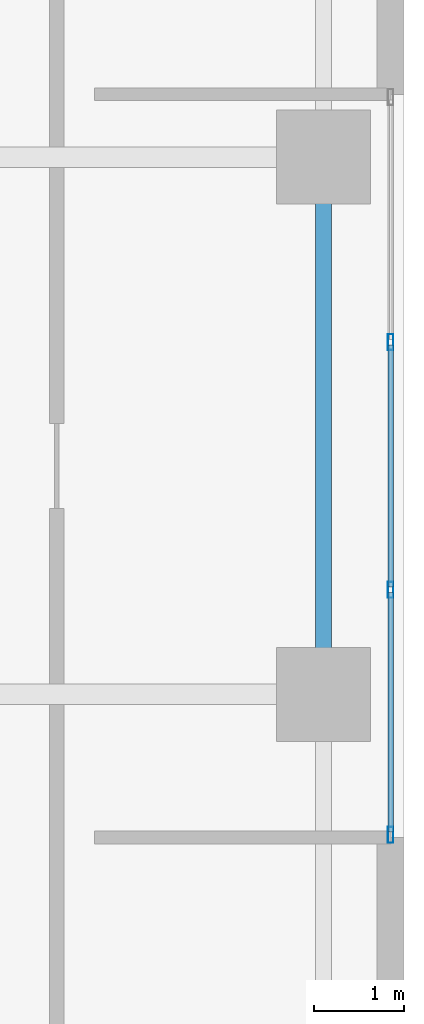
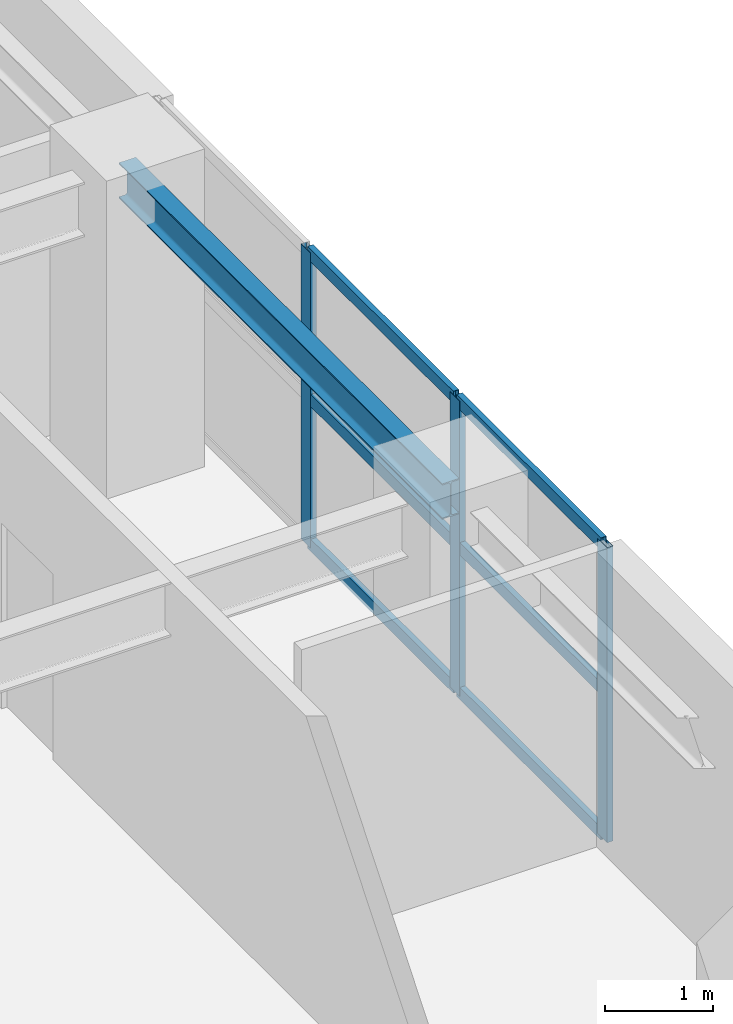
# One storey, part 4 of 14: 9 members, 1 beam, 1 element without a shape of its own.
"""IFC4 building model written with IfcOpenShell, lengths in metres."""

from ifc_helpers import new_model, si_unit, direction, frame, origin, origin_2d, place, context, subcontext, project, spatial, hollow_rectangle, i_section, extrude, source, transform, mapped, material, layer, layer_set, material_profile, profile_set, type_object, element, aggregate, save


model = new_model("IFC4")

# Units and contexts
model_context = context("Model", 3, precision=1e-05, world=origin(), true_north=direction((0.0, 1.0)))
body_context = subcontext(model_context, "Body", "Model", "MODEL_VIEW")
ifc_project = project(units=[si_unit("LENGTHUNIT", "METRE"), si_unit("AREAUNIT", "SQUARE_METRE"), si_unit("VOLUMEUNIT", "CUBIC_METRE"), si_unit("PLANEANGLEUNIT", "RADIAN"), si_unit("MASSUNIT", "GRAM", prefix="KILO")], contexts=[model_context])

# Site, building, storey
site_placement = place(None, origin())
site = spatial("IfcSite", under=ifc_project, at=site_placement, CompositionType="ELEMENT")
building_placement = place(site_placement, origin())
building = spatial("IfcBuilding", under=site, at=building_placement, Name="Khoralis Quay Care Tower", CompositionType="ELEMENT")
storey_placement = place(building_placement, frame((0.0, 0.0, 108.89990234375)))
storey = spatial("IfcBuildingStorey", under=building, at=storey_placement, Name="L28", CompositionType="ELEMENT", Elevation=108.89990234375)

# Beam
ifc_material_1 = material(Name="Steel S355", Category="steel")
ifc_material_profile_1 = material_profile(ifc_material_1, i_section(OverallWidth=0.179931640625, OverallDepth=0.39990234375, WebThickness=0.008544921875, FlangeThickness=0.013427734375, FilletRadius=0.02099609375, at=origin_2d()), Name="Steel S355")
ifc_profile_set_1 = profile_set([ifc_material_profile_1], Name="Steel S355")
beam_type = type_object("IfcBeamType", Name="BM-IPE400", PredefinedType="SPANDREL", material=ifc_profile_set_1)
shared_shape_1 = source(origin(), body_context, "Body", "SweptSolid", [
    extrude(i_section(OverallWidth=0.179931640625, OverallDepth=0.39990234375, WebThickness=0.008544921875, FlangeThickness=0.013427734375, FilletRadius=0.02099609375, at=origin_2d()), origin(), (0.0, 0.0, 1.0), 6.0),
])
beam_placement = place(storey_placement, frame((44.10009765625, 18.0, 3.14013671875), z_axis=(0.0, 1.0, 0.0), x_axis=(-1.0, 0.0, 0.0)))
element("IfcBeam", 1, at=beam_placement, inside=storey, type_object=beam_type, Name="BM-TSP-L28-18", PredefinedType="SPANDREL", context=body_context, shape_type="MappedRepresentation", body=[
    mapped(shared_shape_1, transform((0.0, 0.0, 0.0), scale=1.0)),
])

# Curtain wall, members
ifc_material_2 = material(Name="Pale anodised aluminium", Category="aluminium")
ifc_layer = layer(ifc_material_2, 0.169921875)
ifc_layer_set = layer_set([ifc_layer], Name="Pale anodised aluminium")
curtain_wall_type = type_object("IfcCurtainWallType", Name="CW-SYS-Z2", PredefinedType="NOTDEFINED", material=ifc_layer_set)
curtain_wall_placement = place(storey_placement, origin())
curtain_wall = element("IfcCurtainWall", 2, at=curtain_wall_placement, inside=storey, type_object=curtain_wall_type, Name="L28 Unitised Curtain Wall CW-L28-P1-E5", PredefinedType="NOTDEFINED")
ifc_material_profile_2 = material_profile(ifc_material_2, hollow_rectangle(XDim=0.06494140625, YDim=0.179931640625, WallThickness=0.00390625, at=origin_2d()), Name="Pale anodised aluminium")
ifc_profile_set_2 = profile_set([ifc_material_profile_2], Name="Pale anodised aluminium")
member_type_1 = type_object("IfcMemberType", Name="CW-MUL-180", PredefinedType="MULLION", material=ifc_profile_set_2)
shared_shape_2 = source(origin(), body_context, "Body", "SweptSolid", [
    extrude(hollow_rectangle(XDim=0.06494140625, YDim=0.179931640625, WallThickness=0.00390625, at=origin_2d()), origin(), (0.0, 0.0, 1.0), 3.340087890625),
])
member_1_placement = place(storey_placement, frame((44.85009765625, 16.429931640625, 0.0), z_axis=(0.0, 0.0, 1.0), x_axis=(-1.0, 0.0, 0.0)))
member_1 = element("IfcMember", 3, at=member_1_placement, type_object=member_type_1, Name="CW2 mullion 1", PredefinedType="MULLION", context=body_context, shape_type="MappedRepresentation", body=[
    mapped(shared_shape_2, transform((0.0, 0.0, 0.0), scale=1.0)),
])
member_2_placement = place(storey_placement, frame((44.85009765625, 19.166748046875, 0.0), z_axis=(0.0, 0.0, 1.0), x_axis=(-1.0, 0.0, 0.0)))
member_2 = element("IfcMember", 4, at=member_2_placement, type_object=member_type_1, Name="CW2 mullion 2", PredefinedType="MULLION", context=body_context, shape_type="MappedRepresentation", body=[
    mapped(shared_shape_2, transform((0.0, 0.0, 0.0), scale=1.0)),
])
member_3_placement = place(storey_placement, frame((44.85009765625, 21.933349609375, 0.0), z_axis=(0.0, 0.0, 1.0), x_axis=(-1.0, 0.0, 0.0)))
member_3 = element("IfcMember", 5, at=member_3_placement, type_object=member_type_1, Name="CW2 mullion 3", PredefinedType="MULLION", context=body_context, shape_type="MappedRepresentation", body=[
    mapped(shared_shape_2, transform((0.0, 0.0, 0.0), scale=1.0)),
])
ifc_material_profile_3 = material_profile(ifc_material_2, hollow_rectangle(XDim=0.06005859375, YDim=0.139892578125, WallThickness=0.00390625, at=origin_2d()), Name="Pale anodised aluminium")
ifc_profile_set_3 = profile_set([ifc_material_profile_3], Name="Pale anodised aluminium")
member_type_2 = type_object("IfcMemberType", Name="CW-TRN-140", PredefinedType="USERDEFINED", material=ifc_profile_set_3)
shared_shape_3 = source(origin(), body_context, "Body", "SweptSolid", [
    extrude(hollow_rectangle(XDim=0.06005859375, YDim=0.139892578125, WallThickness=0.00390625, at=origin_2d()), origin(), (0.0, 0.0, 1.0), 2.6767578125),
])
member_4_placement = place(storey_placement, frame((44.85009765625, 16.4599609375, 0.030029296875), z_axis=(0.0, 1.0, 0.0), x_axis=(-1.0, 0.0, 0.0)))
member_4 = element("IfcMember", 6, at=member_4_placement, type_object=member_type_2, Name="CW2 transom 1.1", ObjectType="TRANSOM", PredefinedType="USERDEFINED", context=body_context, shape_type="MappedRepresentation", body=[
    mapped(shared_shape_3, transform((0.0, 0.0, 0.0), scale=1.0)),
])
member_5_placement = place(storey_placement, frame((44.85009765625, 16.4599609375, 1.670166015625), z_axis=(0.0, 1.0, 0.0), x_axis=(-1.0, 0.0, 0.0)))
member_5 = element("IfcMember", 7, at=member_5_placement, type_object=member_type_2, Name="CW2 transom 1.2", ObjectType="TRANSOM", PredefinedType="USERDEFINED", context=body_context, shape_type="MappedRepresentation", body=[
    mapped(shared_shape_3, transform((0.0, 0.0, 0.0), scale=1.0)),
])
member_6_placement = place(storey_placement, frame((44.85009765625, 16.4599609375, 3.31005859375), z_axis=(0.0, 1.0, 0.0), x_axis=(-1.0, 0.0, 0.0)))
member_6 = element("IfcMember", 8, at=member_6_placement, type_object=member_type_2, Name="CW2 transom 1.3", ObjectType="TRANSOM", PredefinedType="USERDEFINED", context=body_context, shape_type="MappedRepresentation", body=[
    mapped(shared_shape_3, transform((0.0, 0.0, 0.0), scale=1.0)),
])
shared_shape_4 = source(origin(), body_context, "Body", "SweptSolid", [
    extrude(hollow_rectangle(XDim=0.06005859375, YDim=0.139892578125, WallThickness=0.00390625, at=origin_2d()), origin(), (0.0, 0.0, 1.0), 2.70654296875),
])
member_7_placement = place(storey_placement, frame((44.85009765625, 19.19677734375, 0.030029296875), z_axis=(0.0, 1.0, 0.0), x_axis=(-1.0, 0.0, 0.0)))
member_7 = element("IfcMember", 9, at=member_7_placement, type_object=member_type_2, Name="CW2 transom 2.1", ObjectType="TRANSOM", PredefinedType="USERDEFINED", context=body_context, shape_type="MappedRepresentation", body=[
    mapped(shared_shape_4, transform((0.0, 0.0, 0.0), scale=1.0)),
])
member_8_placement = place(storey_placement, frame((44.85009765625, 19.19677734375, 1.670166015625), z_axis=(0.0, 1.0, 0.0), x_axis=(-1.0, 0.0, 0.0)))
member_8 = element("IfcMember", 10, at=member_8_placement, type_object=member_type_2, Name="CW2 transom 2.2", ObjectType="TRANSOM", PredefinedType="USERDEFINED", context=body_context, shape_type="MappedRepresentation", body=[
    mapped(shared_shape_4, transform((0.0, 0.0, 0.0), scale=1.0)),
])
member_9_placement = place(storey_placement, frame((44.85009765625, 19.19677734375, 3.31005859375), z_axis=(0.0, 1.0, 0.0), x_axis=(-1.0, 0.0, 0.0)))
member_9 = element("IfcMember", 11, at=member_9_placement, type_object=member_type_2, Name="CW2 transom 2.3", ObjectType="TRANSOM", PredefinedType="USERDEFINED", context=body_context, shape_type="MappedRepresentation", body=[
    mapped(shared_shape_4, transform((0.0, 0.0, 0.0), scale=1.0)),
])
aggregate(curtain_wall, [member_1, member_2, member_3, member_4, member_5, member_6, member_7, member_8, member_9])

save(model, "model.ifc")
